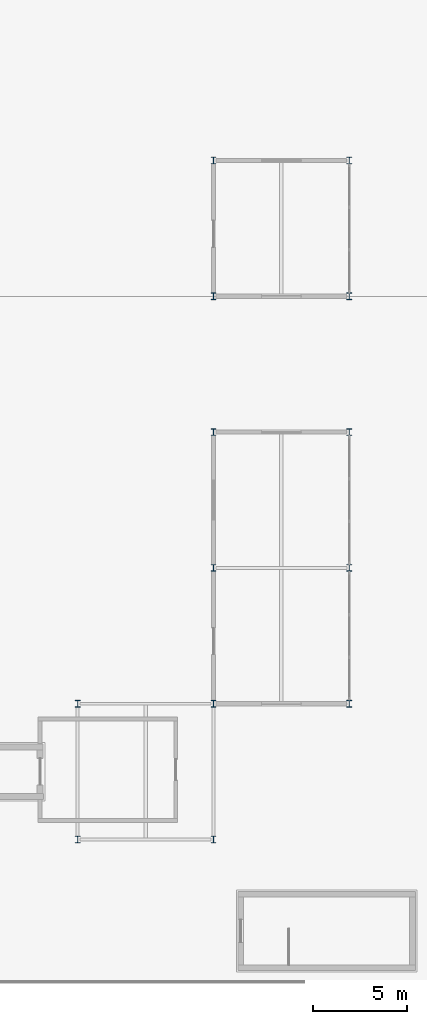
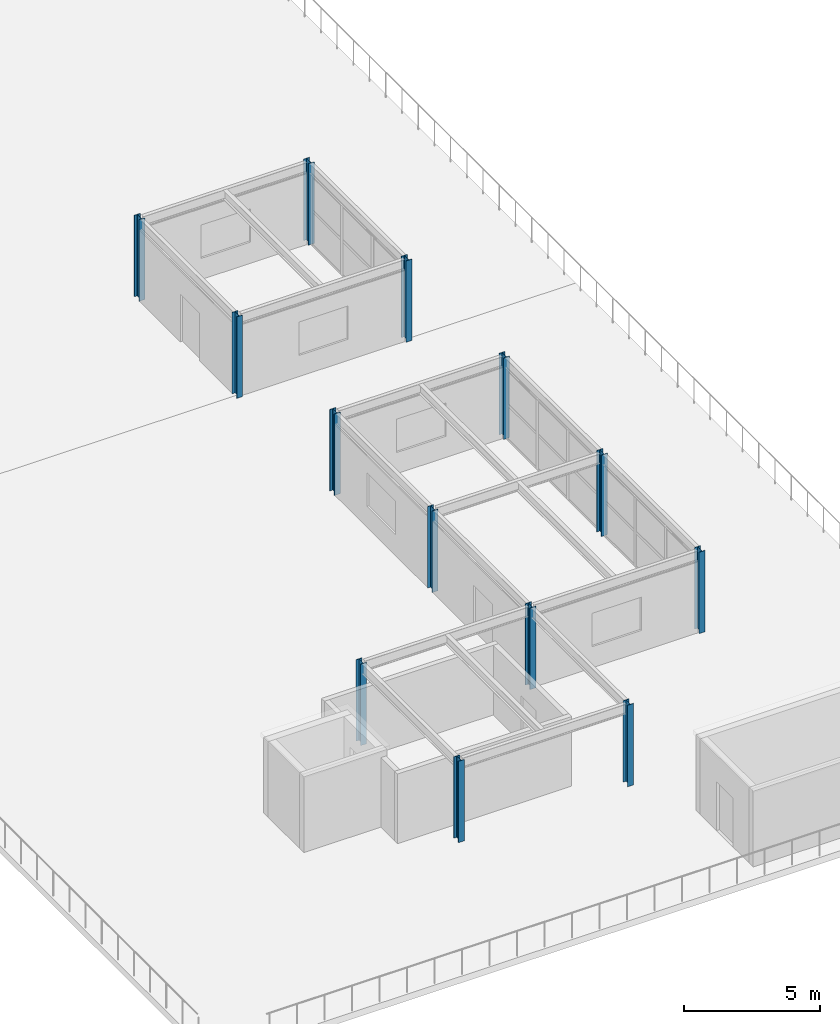
# One storey, part 9 of 52: 13 columns.
"""IFC4 building model written with IfcOpenShell, lengths in metres."""

from ifc_helpers import new_model, si_unit, direction, frame, origin, origin_2d, place, context, subcontext, project, spatial, i_section, extrude, material, material_profile, profile_set, type_object, element, save


model = new_model("IFC4")

# Units and contexts
model_context = context("Model", 3, precision=1e-05, world=origin(), true_north=direction((0.0, 1.0)))
body_context = subcontext(model_context, "Body", "Model", "MODEL_VIEW")
ifc_project = project(units=[si_unit("LENGTHUNIT", "METRE"), si_unit("AREAUNIT", "SQUARE_METRE"), si_unit("VOLUMEUNIT", "CUBIC_METRE"), si_unit("PLANEANGLEUNIT", "RADIAN"), si_unit("MASSUNIT", "GRAM", prefix="KILO")], contexts=[model_context])

# Site, building, storey
site_placement = place(None, origin())
site = spatial("IfcSite", under=ifc_project, at=site_placement, CompositionType="ELEMENT")
building_placement = place(site_placement, origin())
building = spatial("IfcBuilding", under=site, at=building_placement, Name="Vaelcorin Mobility Hub", CompositionType="ELEMENT")
storey_placement = place(building_placement, frame((0.0, 0.0, 13.199951171875)))
storey = spatial("IfcBuildingStorey", under=building, at=storey_placement, Name="L03", CompositionType="ELEMENT", Elevation=13.199951171875)

# Columns
ifc_material = material(Name="Steel ASTM A992 Grade 50", Category="steel")
ifc_material_profile = material_profile(ifc_material, i_section(OverallWidth=0.25390625, OverallDepth=0.35595703125, WebThickness=0.010498046875, FlangeThickness=0.018310546875, FilletRadius=0.014892578125, at=origin_2d()), Name="W14X68")
ifc_profile_set = profile_set([ifc_material_profile], Name="Steel ASTM A992 Grade 50")
column_type = type_object("IfcColumnType", Name="COL-W14X68", PredefinedType="COLUMN", material=ifc_profile_set)
for number, where, z_axis, x_axis, name in (
    (1, (168.0, 13.199951171875, 0.0), (0.0, 0.0, 1.0), (1.0, 0.0, 0.0), "Column V5-X03Y02 L03"),
    (2, (168.0, 20.39990234375, 0.0), (0.0, 0.0, 1.0), (1.0, 0.0, 0.0), "Column V5-X03Y03 L03"),
    (3, (175.199951171875, 13.199951171875, 0.0), (0.0, 0.0, 1.0), (1.0, 0.0, 0.0), "Column V5-X04Y02 L03"),
    (4, (175.199951171875, 20.39990234375, 0.0), (0.0, 0.0, 1.0), (1.0, 0.0, 0.0), "Column V5-X04Y03 L03"),
    (5, (175.199951171875, 27.60009765625, 0.0), (0.0, 0.0, 1.0), (1.0, 0.0, 0.0), "Column V5-X04Y04 L03"),
    (6, (175.199951171875, 34.800048828125, 0.0), (0.0, 0.0, 1.0), (1.0, 0.0, 0.0), "Column V5-X04Y05 L03"),
    (7, (175.199951171875, 42.0, 0.0), (0.0, 0.0, 1.0), (1.0, 0.0, 0.0), "Column V5-X04Y06 L03"),
    (8, (175.199951171875, 49.199951171875, 0.0), (0.0, 0.0, 1.0), (1.0, 0.0, 0.0), "Column V5-X04Y07 L03"),
    (9, (182.39990234375, 20.39990234375, 0.0), (0.0, 0.0, 1.0), (1.0, 0.0, 0.0), "Column V5-X05Y03 L03"),
    (10, (182.39990234375, 27.60009765625, 0.0), (0.0, 0.0, 1.0), (1.0, 0.0, 0.0), "Column V5-X05Y04 L03"),
    (11, (182.39990234375, 34.800048828125, 0.0), (0.0, 0.0, 1.0), (1.0, 0.0, 0.0), "Column V5-X05Y05 L03"),
    (12, (182.39990234375, 42.0, 0.0), (0.0, 0.0, 1.0), (1.0, 0.0, 0.0), "Column V5-X05Y06 L03"),
    (13, (182.39990234375, 49.199951171875, 0.0), (0.0, 0.0, 1.0), (1.0, 0.0, 0.0), "Column V5-X05Y07 L03"),
):
    element("IfcColumn", number, at=place(storey_placement, frame(where, z_axis=z_axis, x_axis=x_axis)), inside=storey, type_object=column_type, Name=name, PredefinedType="COLUMN", context=body_context, shape_type="SweptSolid", body=[
        extrude(i_section(OverallWidth=0.25390625, OverallDepth=0.35595703125, WebThickness=0.010498046875, FlangeThickness=0.018310546875, FilletRadius=0.014892578125, at=origin_2d()), origin(), (0.0, 0.0, 1.0), 3.66015625),
    ])

save(model, "model.ifc")
